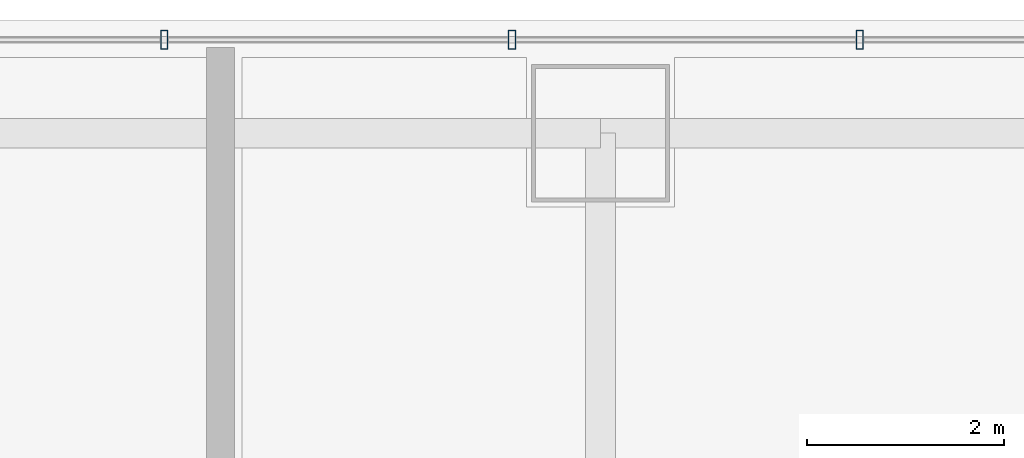
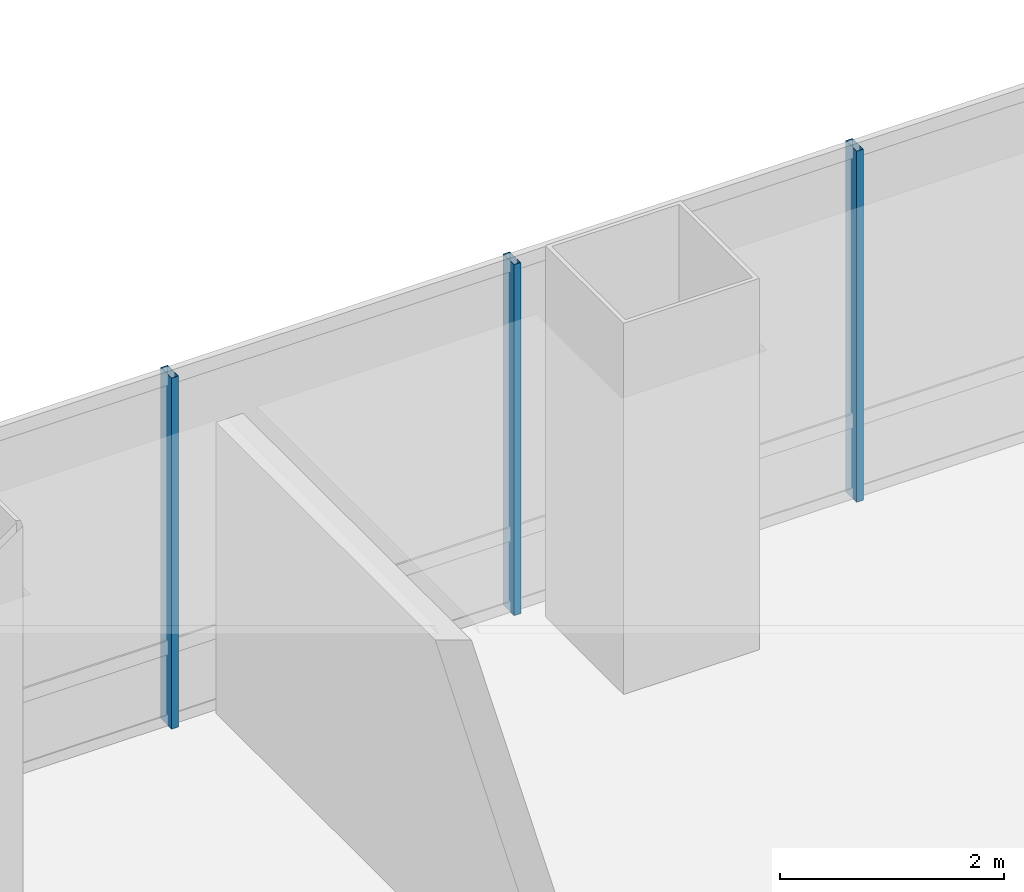
# One storey, part 24 of 36: 3 members, 1 element without a shape of its own.
"""IFC4 building model written with IfcOpenShell, lengths in metres."""

from ifc_helpers import new_model, si_unit, direction, frame, origin, origin_2d, place, context, subcontext, project, spatial, hollow_rectangle, extrude, material, material_profile, profile_set, type_object, element, aggregate, save


model = new_model("IFC4")

# Units and contexts
model_context = context("Model", 3, precision=1e-05, world=origin(), true_north=direction((0.0, 1.0)))
body_context = subcontext(model_context, "Body", "Model", "MODEL_VIEW")
ifc_project = project(units=[si_unit("LENGTHUNIT", "METRE"), si_unit("AREAUNIT", "SQUARE_METRE"), si_unit("VOLUMEUNIT", "CUBIC_METRE"), si_unit("PLANEANGLEUNIT", "RADIAN"), si_unit("MASSUNIT", "GRAM", prefix="KILO")], contexts=[model_context])

# Site, building, storey
site_placement = place(None, origin())
site = spatial("IfcSite", under=ifc_project, at=site_placement, CompositionType="ELEMENT")
building_placement = place(site_placement, origin())
building = spatial("IfcBuilding", under=site, at=building_placement, Name="Punatoya Terracotta Tower", CompositionType="ELEMENT")
storey_placement = place(building_placement, frame((0.0, 0.0, 180.300048828125)))
storey = spatial("IfcBuildingStorey", under=building, at=storey_placement, Name="L42", CompositionType="ELEMENT", Elevation=180.300048828125)

# Curtain wall, members
ifc_material_1 = material(Name="Aluminium 6063-T6 + Double Low-E Glass", Category="aluminium")
curtain_wall_type = type_object("IfcCurtainWallType", Name="CW-M2", PredefinedType="NOTDEFINED", material=ifc_material_1)
curtain_wall_placement = place(storey_placement, origin())
curtain_wall = element("IfcCurtainWall", 1, at=curtain_wall_placement, inside=storey, type_object=curtain_wall_type, Name="L42 Curtain Wall CW-L42-N09-1", PredefinedType="NOTDEFINED")
ifc_material_2 = material(Name="Aluminium 6063-T6", Category="aluminium")
ifc_material_profile = material_profile(ifc_material_2, hollow_rectangle(XDim=0.072021484375, YDim=0.195068359375, WallThickness=0.00439453125, at=origin_2d()))
ifc_profile_set = profile_set([ifc_material_profile], Name="Aluminium 6063-T6")
member_type = type_object("IfcMemberType", Name="CW-MUL-M2", PredefinedType="MULLION", material=ifc_profile_set)
member_1_placement = place(storey_placement, frame((6.43505859375, 18.449951171875, 0.0), z_axis=(0.0, 0.0, 1.0), x_axis=(1.0, 0.0, 0.0)))
member_1 = element("IfcMember", 2, at=member_1_placement, type_object=member_type, Name="CW-L42-N09-1 Mullion 03", PredefinedType="MULLION", context=body_context, shape_type="SweptSolid", body=[
    extrude(hollow_rectangle(XDim=0.072021484375, YDim=0.195068359375, WallThickness=0.00439453125, at=origin_2d()), origin(), (0.0, 0.0, 1.0), 3.829833984375),
])
member_2_placement = place(storey_placement, frame((2.90087890625, 18.449951171875, 0.0), z_axis=(0.0, 0.0, 1.0), x_axis=(1.0, 0.0, 0.0)))
member_2 = element("IfcMember", 3, at=member_2_placement, type_object=member_type, Name="CW-L42-N09-1 Mullion 04", PredefinedType="MULLION", context=body_context, shape_type="SweptSolid", body=[
    extrude(hollow_rectangle(XDim=0.072021484375, YDim=0.195068359375, WallThickness=0.00439453125, at=origin_2d()), origin(), (0.0, 0.0, 1.0), 3.829833984375),
])
member_3_placement = place(storey_placement, frame((-0.633056640625, 18.449951171875, 0.0), z_axis=(0.0, 0.0, 1.0), x_axis=(1.0, 0.0, 0.0)))
member_3 = element("IfcMember", 4, at=member_3_placement, type_object=member_type, Name="CW-L42-N09-1 Mullion 05", PredefinedType="MULLION", context=body_context, shape_type="SweptSolid", body=[
    extrude(hollow_rectangle(XDim=0.072021484375, YDim=0.195068359375, WallThickness=0.00439453125, at=origin_2d()), origin(), (0.0, 0.0, 1.0), 3.829833984375),
])
aggregate(curtain_wall, [member_1, member_2, member_3])

save(model, "model.ifc")
